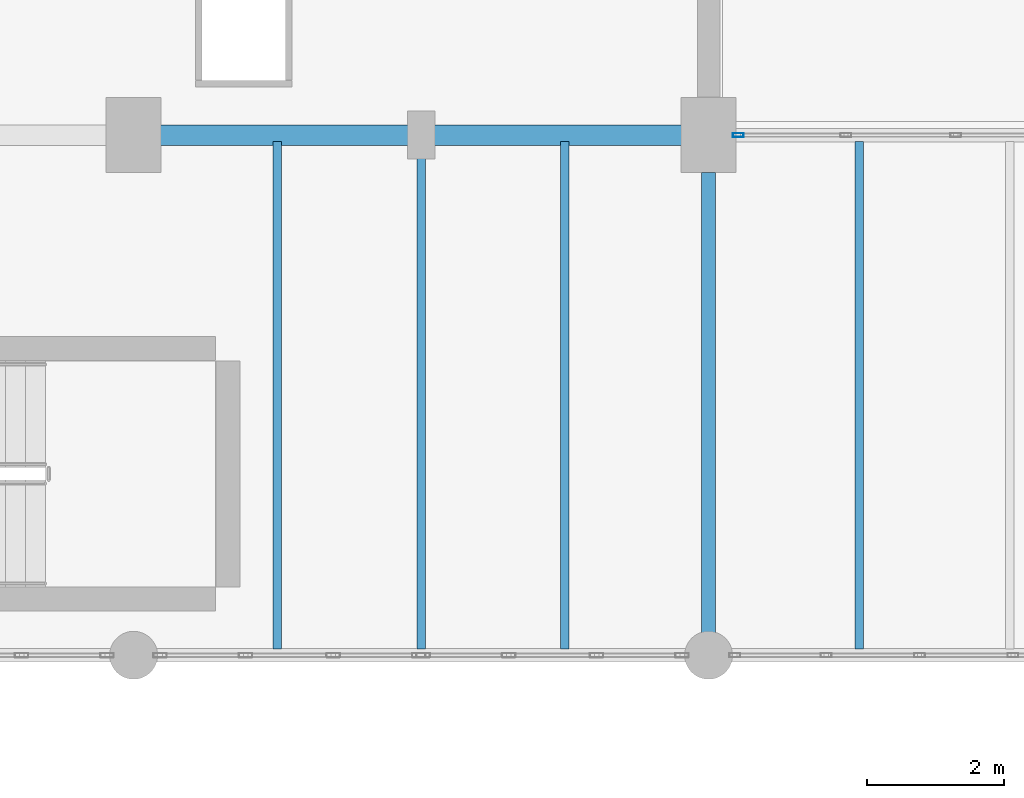
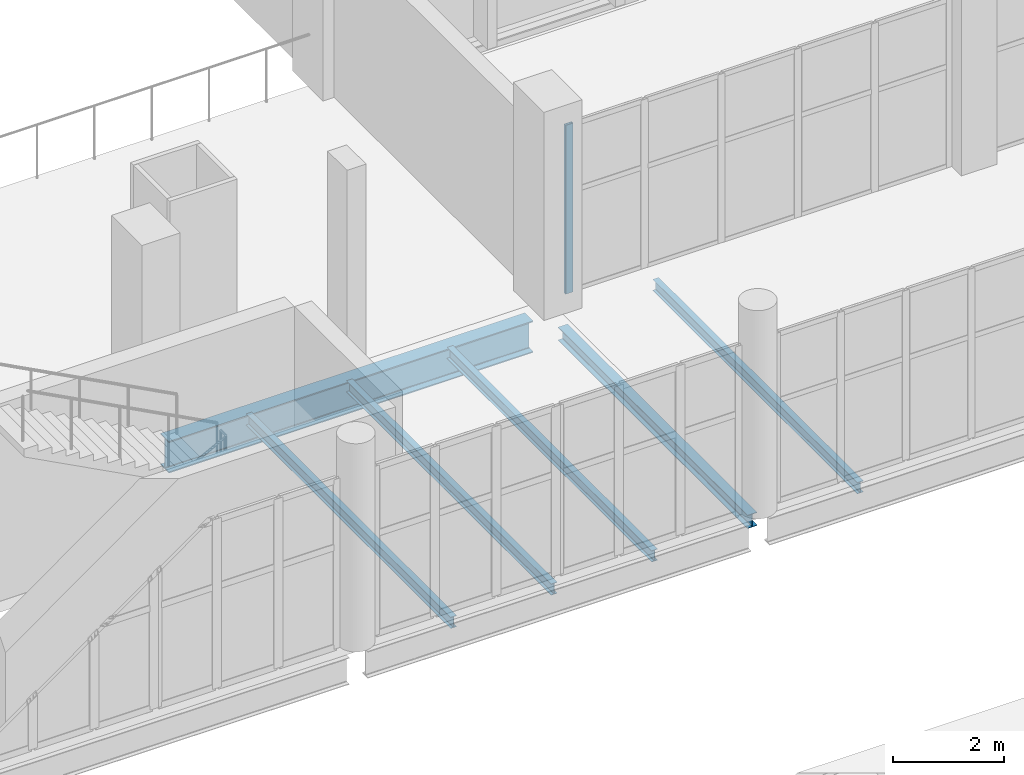
# One storey, part 55 of 136: 6 beams, 1 member, 1 element without a shape of its own.
"""IFC4 building model written with IfcOpenShell, lengths in metres."""

from ifc_helpers import new_model, si_unit, direction, frame, origin, origin_2d, place, context, subcontext, project, spatial, hollow_rectangle, i_section, extrude, material, material_profile, profile_set, type_object, element, aggregate, save


model = new_model("IFC4")

# Units and contexts
model_context = context("Model", 3, precision=1e-05, world=origin(), true_north=direction((0.0, 1.0)))
body_context = subcontext(model_context, "Body", "Model", "MODEL_VIEW")
ifc_project = project(units=[si_unit("LENGTHUNIT", "METRE"), si_unit("AREAUNIT", "SQUARE_METRE"), si_unit("VOLUMEUNIT", "CUBIC_METRE"), si_unit("PLANEANGLEUNIT", "RADIAN"), si_unit("MASSUNIT", "GRAM", prefix="KILO")], contexts=[model_context])

# Site, building, storey
site_placement = place(None, origin())
site = spatial("IfcSite", under=ifc_project, at=site_placement, CompositionType="ELEMENT")
building_placement = place(site_placement, origin())
building = spatial("IfcBuilding", under=site, at=building_placement, Name="Shengluoqiao Park Theatre", CompositionType="ELEMENT")
storey_placement = place(building_placement, frame((0.0, 0.0, 10.0)))
storey = spatial("IfcBuildingStorey", under=building, at=storey_placement, Name="L02", CompositionType="ELEMENT", Elevation=10.0)

# Curtain wall, member
ifc_material_1 = material(Name="Aluminium 6063-T6", Category="aluminium")
curtain_wall_type = type_object("IfcCurtainWallType", Name="ENV-CW-BRIDGE", PredefinedType="NOTDEFINED", material=ifc_material_1)
curtain_wall_placement = place(storey_placement, origin())
curtain_wall = element("IfcCurtainWall", 1, at=curtain_wall_placement, inside=storey, type_object=curtain_wall_type, Name="L02 Curtain Wall CWX-L02-0115", PredefinedType="NOTDEFINED")
ifc_material_profile_1 = material_profile(ifc_material_1, hollow_rectangle(XDim=0.06005859375, YDim=0.159912109375, WallThickness=0.00390625, InnerFilletRadius=0.00390625, OuterFilletRadius=0.008056640625, at=origin_2d()), Name="ALU MULLION 160x60x4")
ifc_profile_set_1 = profile_set([ifc_material_profile_1], Name="Aluminium 6063-T6")
member_type = type_object("IfcMemberType", Name="ENV-MUL-160", PredefinedType="MULLION", material=ifc_profile_set_1)
member_placement = place(storey_placement, frame((86.833984375, 76.0, 0.0), z_axis=(0.0, 0.0, 1.0), x_axis=(0.0, 1.0, 0.0)))
member = element("IfcMember", 2, at=member_placement, type_object=member_type, Name="CW-03 mullion 1", PredefinedType="MULLION", context=body_context, shape_type="SweptSolid", body=[
    extrude(hollow_rectangle(XDim=0.06005859375, YDim=0.159912109375, WallThickness=0.00390625, InnerFilletRadius=0.00390625, OuterFilletRadius=0.008056640625, at=origin_2d()), origin(), (0.0, 0.0, 1.0), 3.73193359375),
])
aggregate(curtain_wall, [member])

# Beams
ifc_material_2 = material(Name="Steel Q355", Category="steel")
ifc_material_profile_2 = material_profile(ifc_material_2, i_section(OverallWidth=0.199951171875, OverallDepth=0.2939453125, WebThickness=0.008056640625, FlangeThickness=0.011962890625, FilletRadius=0.01611328125, at=origin_2d()), Name="HM 294x200x8x12")
ifc_profile_set_2 = profile_set([ifc_material_profile_2], Name="Steel Q355")
beam_type_1 = type_object("IfcBeamType", Name="STR-BM-G-HM294", PredefinedType="BEAM", material=ifc_profile_set_2)
beam_1_placement = place(storey_placement, frame((86.39990234375, 68.593994140625, -0.39697265625), z_axis=(0.0, 1.0, 0.0), x_axis=(-1.0, 0.0, 0.0)))
element("IfcBeam", 3, at=beam_1_placement, inside=storey, type_object=beam_type_1, Name="L02 Transverse Girder 00994", PredefinedType="BEAM", context=body_context, shape_type="SweptSolid", body=[
    extrude(i_section(OverallWidth=0.199951171875, OverallDepth=0.2939453125, WebThickness=0.008056640625, FlangeThickness=0.011962890625, FilletRadius=0.01611328125, at=origin_2d()), origin(), (0.0, 0.0, 1.0), 6.862060546875),
])
ifc_material_3 = material(Name="Steel Q390", Category="steel")
ifc_material_profile_3 = material_profile(ifc_material_3, i_section(OverallWidth=0.300048828125, OverallDepth=0.699951171875, WebThickness=0.012939453125, FlangeThickness=0.02392578125, FilletRadius=0.02392578125, at=origin_2d()), Name="HN 700x300x13x24")
ifc_profile_set_3 = profile_set([ifc_material_profile_3], Name="Steel Q390")
beam_type_2 = type_object("IfcBeamType", Name="STR-BM-G-HN700", PredefinedType="BEAM", material=ifc_profile_set_3)
beam_2_placement = place(storey_placement, frame((78.39404296875, 76.0, -0.60009765625), z_axis=(1.0, 0.0, 0.0), x_axis=(0.0, 1.0, 0.0)))
element("IfcBeam", 4, at=beam_2_placement, inside=storey, type_object=beam_type_2, Name="L02 Primary Girder 00832", PredefinedType="BEAM", context=body_context, shape_type="SweptSolid", body=[
    extrude(i_section(OverallWidth=0.300048828125, OverallDepth=0.699951171875, WebThickness=0.012939453125, FlangeThickness=0.02392578125, FilletRadius=0.02392578125, at=origin_2d()), origin(), (0.0, 0.0, 1.0), 7.612060546875),
])
ifc_material_profile_4 = material_profile(ifc_material_2, i_section(OverallWidth=0.125, OverallDepth=0.25, WebThickness=0.006103515625, FlangeThickness=0.009033203125, FilletRadius=0.010009765625, at=origin_2d()), Name="HN 250x125x6x9")
ifc_profile_set_4 = profile_set([ifc_material_profile_4], Name="Steel Q355")
beam_type_3 = type_object("IfcBeamType", Name="STR-BM-J-HN250", PredefinedType="JOIST", material=ifc_profile_set_4)
for number, where, z_axis, x_axis, name in (
    (5, (80.10009765625, 68.494384765625, -0.375), (0.0, 1.0, 0.0), (-1.0, 0.0, 0.0), "L02 Composite Joist 01002"),
    (6, (82.199951171875, 68.494384765625, -0.375), (0.0, 1.0, 0.0), (-1.0, 0.0, 0.0), "L02 Composite Joist 01003"),
    (7, (84.300048828125, 68.494384765625, -0.375), (0.0, 1.0, 0.0), (-1.0, 0.0, 0.0), "L02 Composite Joist 01004"),
    (8, (88.60009765625, 68.494384765625, -0.375), (0.0, 1.0, 0.0), (-1.0, 0.0, 0.0), "L02 Composite Joist 01029"),
):
    element("IfcBeam", number, at=place(storey_placement, frame(where, z_axis=z_axis, x_axis=x_axis)), inside=storey, type_object=beam_type_3, Name=name, PredefinedType="JOIST", context=body_context, shape_type="SweptSolid", body=[
        extrude(i_section(OverallWidth=0.125, OverallDepth=0.25, WebThickness=0.006103515625, FlangeThickness=0.009033203125, FilletRadius=0.010009765625, at=origin_2d()), origin(), (0.0, 0.0, 1.0), 7.4111328125),
    ])

save(model, "model.ifc")
